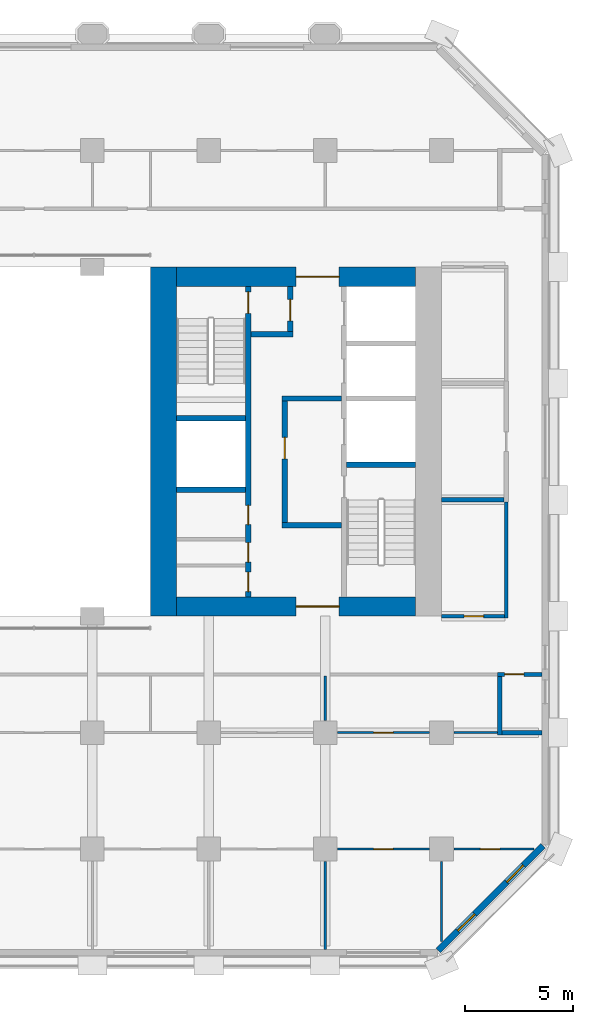
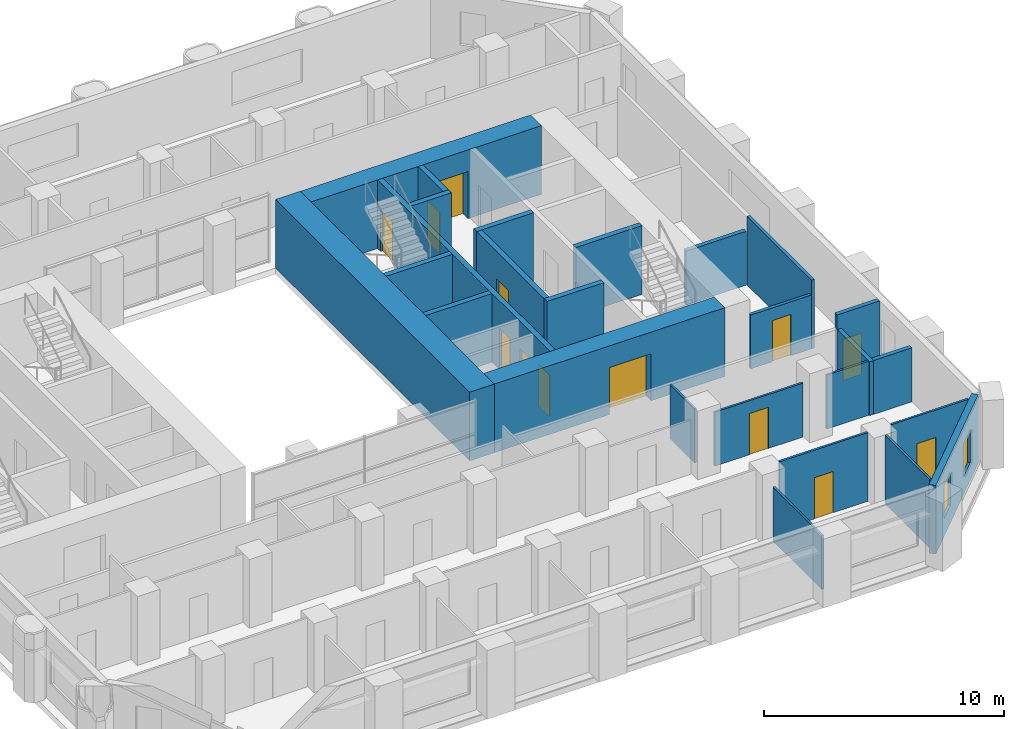
# One storey, part 9 of 14: 26 walls, 13 doors, 2 windows, 15 openings.
"""IFC4 building model written with IfcOpenShell, lengths in metres."""

from ifc_helpers import new_model, si_unit, direction, frame, frame_2d, origin, place, context, subcontext, project, spatial, rectangle, extrude, material, layer, layer_set, type_object, element, fill, save


model = new_model("IFC4")

# Units and contexts
model_context = context("Model", 3, precision=1e-05, world=origin(), true_north=direction((0.0, 1.0)))
body_context = subcontext(model_context, "Body", "Model", "MODEL_VIEW")
ifc_project = project(units=[si_unit("LENGTHUNIT", "METRE"), si_unit("AREAUNIT", "SQUARE_METRE"), si_unit("VOLUMEUNIT", "CUBIC_METRE"), si_unit("PLANEANGLEUNIT", "RADIAN"), si_unit("MASSUNIT", "GRAM", prefix="KILO")], contexts=[model_context])

# Site, building, storey
site_placement = place(None, origin())
site = spatial("IfcSite", under=ifc_project, at=site_placement, CompositionType="ELEMENT")
building_placement = place(site_placement, origin())
building = spatial("IfcBuilding", under=site, at=building_placement, Name="Tabaq Tower and Sports Hall", CompositionType="ELEMENT")
storey_placement = place(building_placement, frame((0.0, 0.0, 52.60009765625)))
storey = spatial("IfcBuildingStorey", under=building, at=storey_placement, Name="L11", CompositionType="ELEMENT", Elevation=52.60009765625)

# Wall
ifc_material_1 = material(Name="Concrete C60/75", Category="concrete")
ifc_layer_1 = layer(ifc_material_1, 1.199951171875)
ifc_layer_set_1 = layer_set([ifc_layer_1], Name="Core wall 1200 Concrete C60/75")
wall_type_1 = type_object("IfcWallType", Name="Core wall 1200 Concrete C60/75", PredefinedType="SOLIDWALL", material=ifc_layer_set_1)
wall_1_placement = place(storey_placement, frame((30.300048828125, 16.199951171875, 0.0), z_axis=(0.0, 0.0, 1.0), x_axis=(0.0, 1.0, 0.0)))
element("IfcWall", 1, at=wall_1_placement, inside=storey, type_object=wall_type_1, Name="Core wall E L11", PredefinedType="SOLIDWALL", context=body_context, shape_type="SweptSolid", body=[
    extrude(rectangle(XDim=16.199951171875, YDim=1.199951171875, at=frame_2d((8.10009765625, 0.0))), origin(), (0.0, 0.0, 1.0), 3.5),
])

# Wall, opening, door
ifc_material_2 = material(Name="Concrete C60/75", Category="concrete")
ifc_layer_2 = layer(ifc_material_2, 0.89990234375)
ifc_layer_set_2 = layer_set([ifc_layer_2], Name="Core wall 900 Concrete C60/75")
wall_type_2 = type_object("IfcWallType", Name="Core wall 900 Concrete C60/75", PredefinedType="SOLIDWALL", material=ifc_layer_set_2)
wall_2_placement = place(storey_placement, frame((42.0, 16.64990234375, 0.0), z_axis=(0.0, 0.0, 1.0), x_axis=(-1.0, 0.0, 0.0)))
wall_2 = element("IfcWall", 2, at=wall_2_placement, inside=storey, type_object=wall_type_2, Name="Core wall E L11", PredefinedType="SOLIDWALL", context=body_context, shape_type="SweptSolid", body=[
    extrude(rectangle(XDim=11.10009765625, YDim=0.89990234375, at=frame_2d((5.550048828125, 0.0))), origin(), (0.0, 0.0, 1.0), 3.5),
])
opening_1_placement = place(wall_2_placement, frame((3.550048828125, 0.0, 0.0)))
opening_1 = element("IfcOpeningElement", 3, at=opening_1_placement, cuts=wall_2, Name="Opening PD-EL11-01", PredefinedType="OPENING", context=body_context, shape_type="SweptSolid", body=[
    extrude(rectangle(XDim=2.0, YDim=2.39990234375, at=frame_2d((1.0, 1.199951171875))), frame((0.0, 0.449951171875, 0.0), z_axis=(0.0, -1.0, 0.0), x_axis=(1.0, 0.0, 0.0)), (0.0, 0.0, 1.0), 0.89990234375),
])
ifc_material_3 = material(Name="Steel fire door", Category="steel")
door_type_1 = type_object("IfcDoorType", Name="Core entrance door 2000", OperationType="DOUBLE_DOOR_SINGLE_SWING", PredefinedType="DOOR", material=ifc_material_3)
door_1_placement = place(opening_1_placement, origin())
door_1 = element("IfcDoor", 4, at=door_1_placement, inside=storey, type_object=door_type_1, Name="Core entrance south E L11", OperationType="DOUBLE_DOOR_SINGLE_SWING", OverallHeight=2.39990234375, OverallWidth=2.0, PredefinedType="DOOR", context=body_context, shape_type="SweptSolid", body=[
    extrude(rectangle(XDim=2.0, YDim=2.39990234375, at=frame_2d((1.0, 1.199951171875))), frame((0.0, 0.02490234375, 0.0), z_axis=(0.0, -1.0, 0.0), x_axis=(1.0, 0.0, 0.0)), (0.0, 0.0, 1.0), 0.050048828125),
])
fill(opening_1, door_1)

wall_3_placement = place(storey_placement, frame((30.89990234375, 31.949951171875, 0.0), z_axis=(0.0, 0.0, 1.0), x_axis=(1.0, 0.0, 0.0)))
wall_3 = element("IfcWall", 5, at=wall_3_placement, inside=storey, type_object=wall_type_2, Name="Core wall E L11", PredefinedType="SOLIDWALL", context=body_context, shape_type="SweptSolid", body=[
    extrude(rectangle(XDim=11.10009765625, YDim=0.89990234375, at=frame_2d((5.550048828125, 0.0))), origin(), (0.0, 0.0, 1.0), 3.5),
])
opening_2_placement = place(wall_3_placement, frame((5.550048828125, 0.0, 0.0)))
opening_2 = element("IfcOpeningElement", 6, at=opening_2_placement, cuts=wall_3, Name="Opening PD-EL11-02", PredefinedType="OPENING", context=body_context, shape_type="SweptSolid", body=[
    extrude(rectangle(XDim=2.0, YDim=2.39990234375, at=frame_2d((1.0, 1.199951171875))), frame((0.0, 0.449951171875, 0.0), z_axis=(0.0, -1.0, 0.0), x_axis=(1.0, 0.0, 0.0)), (0.0, 0.0, 1.0), 0.89990234375),
])
door_2_placement = place(opening_2_placement, origin())
door_2 = element("IfcDoor", 7, at=door_2_placement, inside=storey, type_object=door_type_1, Name="Core entrance north E L11", OperationType="DOUBLE_DOOR_SINGLE_SWING", OverallHeight=2.39990234375, OverallWidth=2.0, PredefinedType="DOOR", context=body_context, shape_type="SweptSolid", body=[
    extrude(rectangle(XDim=2.0, YDim=2.39990234375, at=frame_2d((1.0, 1.199951171875))), frame((0.0, 0.02490234375, 0.0), z_axis=(0.0, -1.0, 0.0), x_axis=(1.0, 0.0, 0.0)), (0.0, 0.0, 1.0), 0.050048828125),
])
fill(opening_2, door_2)

ifc_material_4 = material(Name="Blockwork", Category="masonry")
ifc_layer_3 = layer(ifc_material_4, 0.199951171875)
ifc_layer_set_3 = layer_set([ifc_layer_3], Name="Fire compartment wall 200 Blockwork")
wall_type_3 = type_object("IfcWallType", Name="Fire compartment wall 200 Blockwork", PredefinedType="PARTITIONING", material=ifc_layer_set_3)
wall_4_placement = place(storey_placement, frame((45.800048828125, 13.5, 0.0), z_axis=(0.0, 0.0, 1.0), x_axis=(1.0, 0.0, 0.0)))
wall_4 = element("IfcWall", 8, at=wall_4_placement, inside=storey, type_object=wall_type_3, Name="Compartment wall L11", PredefinedType="PARTITIONING", context=body_context, shape_type="SweptSolid", body=[
    extrude(rectangle(XDim=2.049072265625, YDim=0.199951171875, at=frame_2d((1.0244140625, 0.0))), origin(), (0.0, 0.0, 1.0), 3.5),
])
opening_3_placement = place(wall_4_placement, frame((0.320068359375, 0.0, 0.0)))
opening_3 = element("IfcOpeningElement", 9, at=opening_3_placement, cuts=wall_4, Name="Opening L11-007", PredefinedType="OPENING", context=body_context, shape_type="SweptSolid", body=[
    extrude(rectangle(XDim=0.89990234375, YDim=2.10009765625, at=frame_2d((0.449951171875, 1.050048828125))), frame((0.0, 0.10009765625, 0.0), z_axis=(0.0, -1.0, 0.0), x_axis=(1.0, 0.0, 0.0)), (0.0, 0.0, 1.0), 0.199951171875),
])
ifc_material_5 = material(Name="Steel fire door", Category="steel")
door_type_2 = type_object("IfcDoorType", Name="Plant room door 900 right hand", OperationType="SINGLE_SWING_RIGHT", PredefinedType="DOOR", material=ifc_material_5)
door_3_placement = place(opening_3_placement, origin())
door_3 = element("IfcDoor", 10, at=door_3_placement, inside=storey, type_object=door_type_2, Name="Plant room door L11-007", OperationType="SINGLE_SWING_RIGHT", OverallHeight=2.10009765625, OverallWidth=0.89990234375, PredefinedType="DOOR", context=body_context, shape_type="SweptSolid", body=[
    extrude(rectangle(XDim=0.89990234375, YDim=2.10009765625, at=frame_2d((0.449951171875, 1.050048828125))), frame((0.0, 0.02490234375, 0.0), z_axis=(0.0, -1.0, 0.0), x_axis=(1.0, 0.0, 0.0)), (0.0, 0.0, 1.0), 0.050048828125),
])
fill(opening_3, door_3)

# Walls
wall_5_placement = place(storey_placement, frame((45.89990234375, 10.699951171875, 0.0), z_axis=(0.0, 0.0, 1.0), x_axis=(0.0, 1.0, 0.0)))
element("IfcWall", 11, at=wall_5_placement, inside=storey, type_object=wall_type_3, Name="Compartment wall L11", PredefinedType="PARTITIONING", context=body_context, shape_type="SweptSolid", body=[
    extrude(rectangle(XDim=2.699951171875, YDim=0.199951171875, at=frame_2d((1.35009765625, 0.0))), origin(), (0.0, 0.0, 1.0), 2.75),
])
wall_6_placement = place(storey_placement, frame((46.0, 10.800048828125, 0.0), z_axis=(0.0, 0.0, 1.0), x_axis=(1.0, 0.0, 0.0)))
element("IfcWall", 12, at=wall_6_placement, inside=storey, type_object=wall_type_3, Name="Compartment wall L11", PredefinedType="PARTITIONING", context=body_context, shape_type="SweptSolid", body=[
    extrude(rectangle(XDim=1.84912109375, YDim=0.199951171875, at=frame_2d((0.924560546875, 0.0))), origin(), (0.0, 0.0, 1.0), 2.75),
])
wall_7_placement = place(storey_placement, frame((46.10009765625, 21.60009765625, 0.0), z_axis=(0.0, 0.0, 1.0), x_axis=(-1.0, 0.0, 0.0)))
element("IfcWall", 13, at=wall_7_placement, inside=storey, type_object=wall_type_3, Name="Compartment wall L11", PredefinedType="PARTITIONING", context=body_context, shape_type="SweptSolid", body=[
    extrude(rectangle(XDim=2.900146484375, YDim=0.199951171875, at=frame_2d((1.4501953125, 0.0))), origin(), (0.0, 0.0, 1.0), 2.75),
])
ifc_material_6 = material(Name="Gypsum board on steel studs", Category="steel")
ifc_layer_4 = layer(ifc_material_6, 0.10009765625)
ifc_layer_set_4 = layer_set([ifc_layer_4], Name="Partition 100 Gypsum board")
wall_type_4 = type_object("IfcWallType", Name="Partition 100 Gypsum board", PredefinedType="PARTITIONING", material=ifc_layer_set_4)
wall_8_placement = place(storey_placement, frame((37.800048828125, 11.3701171875, 0.0), z_axis=(0.0, 0.0, 1.0), x_axis=(0.0, 1.0, 0.0)))
element("IfcWall", 14, at=wall_8_placement, inside=storey, type_object=wall_type_4, Name="Partition wall L11", PredefinedType="PARTITIONING", context=body_context, shape_type="SweptSolid", body=[
    extrude(rectangle(XDim=2.054931640625, YDim=0.10009765625, at=frame_2d((1.02734375, 0.0))), origin(), (0.0, 0.0, 1.0), 2.75),
])

# Wall, opening, door
wall_9_placement = place(storey_placement, frame((38.3701171875, 10.800048828125, 0.0), z_axis=(0.0, 0.0, 1.0), x_axis=(1.0, 0.0, 0.0)))
wall_9 = element("IfcWall", 15, at=wall_9_placement, inside=storey, type_object=wall_type_4, Name="Partition wall L11", PredefinedType="PARTITIONING", context=body_context, shape_type="SweptSolid", body=[
    extrude(rectangle(XDim=4.259765625, YDim=0.10009765625, at=frame_2d((2.1298828125, 0.0))), origin(), (0.0, 0.0, 1.0), 2.75),
])
opening_4_placement = place(wall_9_placement, frame((1.679931640625, 0.0, 0.0)))
opening_4 = element("IfcOpeningElement", 16, at=opening_4_placement, cuts=wall_9, Name="Opening L11-018", PredefinedType="OPENING", context=body_context, shape_type="SweptSolid", body=[
    extrude(rectangle(XDim=0.89990234375, YDim=2.10009765625, at=frame_2d((0.449951171875, 1.050048828125))), frame((0.0, 0.050048828125, 0.0), z_axis=(0.0, -1.0, 0.0), x_axis=(1.0, 0.0, 0.0)), (0.0, 0.0, 1.0), 0.10009765625),
])
ifc_material_7 = material(Name="Timber leaf in steel frame", Category="steel")
door_type_3 = type_object("IfcDoorType", Name="Internal door 900 left hand", OperationType="SINGLE_SWING_LEFT", PredefinedType="DOOR", material=ifc_material_7)
door_4_placement = place(opening_4_placement, origin())
door_4 = element("IfcDoor", 17, at=door_4_placement, inside=storey, type_object=door_type_3, Name="Internal door L11-018", OperationType="SINGLE_SWING_LEFT", OverallHeight=2.10009765625, OverallWidth=0.89990234375, PredefinedType="DOOR", context=body_context, shape_type="SweptSolid", body=[
    extrude(rectangle(XDim=0.89990234375, YDim=2.10009765625, at=frame_2d((0.449951171875, 1.050048828125))), frame((0.0, 0.02490234375, 0.0), z_axis=(0.0, -1.0, 0.0), x_axis=(1.0, 0.0, 0.0)), (0.0, 0.0, 1.0), 0.050048828125),
])
fill(opening_4, door_4)

# Wall
wall_10_placement = place(storey_placement, frame((43.77001953125, 10.800048828125, 0.0), z_axis=(0.0, 0.0, 1.0), x_axis=(1.0, 0.0, 0.0)))
element("IfcWall", 18, at=wall_10_placement, inside=storey, type_object=wall_type_4, Name="Partition wall L11", PredefinedType="PARTITIONING", context=body_context, shape_type="SweptSolid", body=[
    extrude(rectangle(XDim=2.030029296875, YDim=0.10009765625, at=frame_2d((1.01513671875, 0.0))), origin(), (0.0, 0.0, 1.0), 2.75),
])

# Wall, opening, door
wall_11_placement = place(storey_placement, frame((38.3701171875, 5.39990234375, 0.0), z_axis=(0.0, 0.0, 1.0), x_axis=(1.0, 0.0, 0.0)))
wall_11 = element("IfcWall", 19, at=wall_11_placement, inside=storey, type_object=wall_type_4, Name="Partition wall L11", PredefinedType="PARTITIONING", context=body_context, shape_type="SweptSolid", body=[
    extrude(rectangle(XDim=4.259765625, YDim=0.10009765625, at=frame_2d((2.1298828125, 0.0))), origin(), (0.0, 0.0, 1.0), 3.5),
])
opening_5_placement = place(wall_11_placement, frame((1.679931640625, 0.0, 0.0)))
opening_5 = element("IfcOpeningElement", 20, at=opening_5_placement, cuts=wall_11, Name="Opening L11-024", PredefinedType="OPENING", context=body_context, shape_type="SweptSolid", body=[
    extrude(rectangle(XDim=0.89990234375, YDim=2.10009765625, at=frame_2d((0.449951171875, 1.050048828125))), frame((0.0, 0.050048828125, 0.0), z_axis=(0.0, -1.0, 0.0), x_axis=(1.0, 0.0, 0.0)), (0.0, 0.0, 1.0), 0.10009765625),
])
door_5_placement = place(opening_5_placement, origin())
door_5 = element("IfcDoor", 21, at=door_5_placement, inside=storey, type_object=door_type_3, Name="Internal door L11-024", OperationType="SINGLE_SWING_LEFT", OverallHeight=2.10009765625, OverallWidth=0.89990234375, PredefinedType="DOOR", context=body_context, shape_type="SweptSolid", body=[
    extrude(rectangle(XDim=0.89990234375, YDim=2.10009765625, at=frame_2d((0.449951171875, 1.050048828125))), frame((0.0, 0.02490234375, 0.0), z_axis=(0.0, -1.0, 0.0), x_axis=(1.0, 0.0, 0.0)), (0.0, 0.0, 1.0), 0.050048828125),
])
fill(opening_5, door_5)

wall_12_placement = place(storey_placement, frame((43.77001953125, 5.39990234375, 0.0), z_axis=(0.0, 0.0, 1.0), x_axis=(1.0, 0.0, 0.0)))
wall_12 = element("IfcWall", 22, at=wall_12_placement, inside=storey, type_object=wall_type_4, Name="Partition wall L11", PredefinedType="PARTITIONING", context=body_context, shape_type="SweptSolid", body=[
    extrude(rectangle(XDim=3.7177734375, YDim=0.10009765625, at=frame_2d((1.85888671875, 0.0))), origin(), (0.0, 0.0, 1.0), 3.5),
])
opening_6_placement = place(wall_12_placement, frame((1.22998046875, 0.0, 0.0)))
opening_6 = element("IfcOpeningElement", 23, at=opening_6_placement, cuts=wall_12, Name="Opening L11-025", PredefinedType="OPENING", context=body_context, shape_type="SweptSolid", body=[
    extrude(rectangle(XDim=0.89990234375, YDim=2.10009765625, at=frame_2d((0.449951171875, 1.050048828125))), frame((0.0, 0.050048828125, 0.0), z_axis=(0.0, -1.0, 0.0), x_axis=(1.0, 0.0, 0.0)), (0.0, 0.0, 1.0), 0.10009765625),
])
door_6_placement = place(opening_6_placement, origin())
door_6 = element("IfcDoor", 24, at=door_6_placement, inside=storey, type_object=door_type_3, Name="Internal door L11-025", OperationType="SINGLE_SWING_LEFT", OverallHeight=2.10009765625, OverallWidth=0.89990234375, PredefinedType="DOOR", context=body_context, shape_type="SweptSolid", body=[
    extrude(rectangle(XDim=0.89990234375, YDim=2.10009765625, at=frame_2d((0.449951171875, 1.050048828125))), frame((0.0, 0.02490234375, 0.0), z_axis=(0.0, -1.0, 0.0), x_axis=(1.0, 0.0, 0.0)), (0.0, 0.0, 1.0), 0.050048828125),
])
fill(opening_6, door_6)

# Walls
wall_13_placement = place(storey_placement, frame((37.800048828125, 0.7509765625, 0.0), z_axis=(0.0, 0.0, 1.0), x_axis=(0.0, 1.0, 0.0)))
element("IfcWall", 25, at=wall_13_placement, inside=storey, type_object=wall_type_4, Name="Partition wall L11", PredefinedType="PARTITIONING", context=body_context, shape_type="SweptSolid", body=[
    extrude(rectangle(XDim=4.0791015625, YDim=0.10009765625, at=frame_2d((2.03955078125, 0.0))), origin(), (0.0, 0.0, 1.0), 2.75),
])
wall_14_placement = place(storey_placement, frame((43.199951171875, 1.112060546875, 0.0), z_axis=(0.0, 0.0, 1.0), x_axis=(0.0, 1.0, 0.0)))
element("IfcWall", 26, at=wall_14_placement, inside=storey, type_object=wall_type_4, Name="Partition wall L11", PredefinedType="PARTITIONING", context=body_context, shape_type="SweptSolid", body=[
    extrude(rectangle(XDim=3.718017578125, YDim=0.10009765625, at=frame_2d((1.85888671875, 0.0))), origin(), (0.0, 0.0, 1.0), 3.5),
])
ifc_material_8 = material(Name="Blockwork", Category="masonry")
ifc_layer_5 = layer(ifc_material_8, 0.14990234375)
ifc_layer_set_5 = layer_set([ifc_layer_5], Name="Separating wall 150 Blockwork")
wall_type_5 = type_object("IfcWallType", Name="Separating wall 150 Blockwork", PredefinedType="PARTITIONING", material=ifc_layer_set_5)
wall_15_placement = place(storey_placement, frame((46.199951171875, 21.5, 0.0), z_axis=(0.0, 0.0, 1.0), x_axis=(0.0, -1.0, 0.0)))
element("IfcWall", 27, at=wall_15_placement, inside=storey, type_object=wall_type_5, Name="Separating wall L11", PredefinedType="PARTITIONING", context=body_context, shape_type="SweptSolid", body=[
    extrude(rectangle(XDim=5.375, YDim=0.14990234375, at=frame_2d((2.6875, 0.0))), origin(), (0.0, 0.0, 1.0), 3.5),
])

# Wall, opening, door
wall_16_placement = place(storey_placement, frame((46.125, 16.199951171875, 0.0), z_axis=(0.0, 0.0, 1.0), x_axis=(-1.0, 0.0, 0.0)))
wall_16 = element("IfcWall", 28, at=wall_16_placement, inside=storey, type_object=wall_type_5, Name="Separating wall L11", PredefinedType="PARTITIONING", context=body_context, shape_type="SweptSolid", body=[
    extrude(rectangle(XDim=2.925048828125, YDim=0.14990234375, at=frame_2d((1.46240234375, 0.0))), origin(), (0.0, 0.0, 1.0), 2.75),
])
opening_7_placement = place(wall_16_placement, frame((0.97509765625, 0.0, 0.0)))
opening_7 = element("IfcOpeningElement", 29, at=opening_7_placement, cuts=wall_16, Name="Opening L11-008", PredefinedType="OPENING", context=body_context, shape_type="SweptSolid", body=[
    extrude(rectangle(XDim=0.89990234375, YDim=2.10009765625, at=frame_2d((0.449951171875, 1.050048828125))), frame((0.0, 0.074951171875, 0.0), z_axis=(0.0, -1.0, 0.0), x_axis=(1.0, 0.0, 0.0)), (0.0, 0.0, 1.0), 0.14990234375),
])
ifc_material_9 = material(Name="Timber leaf in steel frame", Category="steel")
door_type_4 = type_object("IfcDoorType", Name="Internal door 900 right hand", OperationType="SINGLE_SWING_RIGHT", PredefinedType="DOOR", material=ifc_material_9)
door_7_placement = place(opening_7_placement, origin())
door_7 = element("IfcDoor", 30, at=door_7_placement, inside=storey, type_object=door_type_4, Name="Internal door L11-008", OperationType="SINGLE_SWING_RIGHT", OverallHeight=2.10009765625, OverallWidth=0.89990234375, PredefinedType="DOOR", context=body_context, shape_type="SweptSolid", body=[
    extrude(rectangle(XDim=0.89990234375, YDim=2.10009765625, at=frame_2d((0.449951171875, 1.050048828125))), frame((0.0, 0.02490234375, 0.0), z_axis=(0.0, -1.0, 0.0), x_axis=(1.0, 0.0, 0.0)), (0.0, 0.0, 1.0), 0.050048828125),
])
fill(opening_7, door_7)

# Wall, openings, doors
ifc_material_10 = material(Name="Concrete C40/50", Category="concrete")
ifc_layer_6 = layer(ifc_material_10, 0.25)
ifc_layer_set_6 = layer_set([ifc_layer_6], Name="Shaft and stair wall 250 Concrete C40/50")
wall_type_6 = type_object("IfcWallType", Name="Shaft and stair wall 250 Concrete C40/50", PredefinedType="SOLIDWALL", material=ifc_layer_set_6)
wall_17_placement = place(storey_placement, frame((34.22509765625, 17.10009765625, 0.0), z_axis=(0.0, 0.0, 1.0), x_axis=(0.0, 1.0, 0.0)))
wall_17 = element("IfcWall", 31, at=wall_17_placement, inside=storey, type_object=wall_type_6, Name="Shaft wall E L11", PredefinedType="SOLIDWALL", context=body_context, shape_type="SweptSolid", body=[
    extrude(rectangle(XDim=14.39990234375, YDim=0.25, at=frame_2d((7.199951171875, 0.0))), origin(), (0.0, 0.0, 1.0), 3.5),
])
opening_8_placement = place(wall_17_placement, frame((13.14990234375, 0.0, 0.0)))
opening_8 = element("IfcOpeningElement", 32, at=opening_8_placement, cuts=wall_17, Name="Opening SD-EL11-05", PredefinedType="OPENING", context=body_context, shape_type="SweptSolid", body=[
    extrude(rectangle(XDim=1.0, YDim=2.10009765625, at=frame_2d((0.5, 1.050048828125))), frame((0.0, 0.125, 0.0), z_axis=(0.0, -1.0, 0.0), x_axis=(1.0, 0.0, 0.0)), (0.0, 0.0, 1.0), 0.25),
])
opening_9_placement = place(wall_17_placement, frame((0.239990234375, 0.0, 0.0)))
opening_9 = element("IfcOpeningElement", 33, at=opening_9_placement, cuts=wall_17, Name="Opening RD-EL11-10", PredefinedType="OPENING", context=body_context, shape_type="SweptSolid", body=[
    extrude(rectangle(XDim=0.89990234375, YDim=2.10009765625, at=frame_2d((0.449951171875, 1.050048828125))), frame((0.0, 0.125, 0.0), z_axis=(0.0, -1.0, 0.0), x_axis=(1.0, 0.0, 0.0)), (0.0, 0.0, 1.0), 0.25),
])
opening_10_placement = place(wall_17_placement, frame((1.611083984375, 0.0, 0.0)))
opening_10 = element("IfcOpeningElement", 34, at=opening_10_placement, cuts=wall_17, Name="Opening RD-EL11-11", PredefinedType="OPENING", context=body_context, shape_type="SweptSolid", body=[
    extrude(rectangle(XDim=0.89990234375, YDim=2.10009765625, at=frame_2d((0.449951171875, 1.050048828125))), frame((0.0, 0.125, 0.0), z_axis=(0.0, -1.0, 0.0), x_axis=(1.0, 0.0, 0.0)), (0.0, 0.0, 1.0), 0.25),
])
opening_11_placement = place(wall_17_placement, frame((3.345947265625, 0.0, 0.0)))
opening_11 = element("IfcOpeningElement", 35, at=opening_11_placement, cuts=wall_17, Name="Opening RD-EL11-12", PredefinedType="OPENING", context=body_context, shape_type="SweptSolid", body=[
    extrude(rectangle(XDim=0.89990234375, YDim=2.10009765625, at=frame_2d((0.449951171875, 1.050048828125))), frame((0.0, 0.125, 0.0), z_axis=(0.0, -1.0, 0.0), x_axis=(1.0, 0.0, 0.0)), (0.0, 0.0, 1.0), 0.25),
])
ifc_material_11 = material(Name="Steel fire door", Category="steel")
door_type_5 = type_object("IfcDoorType", Name="Core room door 900", OperationType="SINGLE_SWING_LEFT", PredefinedType="DOOR", material=ifc_material_11)
door_8_placement = place(opening_9_placement, origin())
door_8 = element("IfcDoor", 36, at=door_8_placement, inside=storey, type_object=door_type_5, Name="Door Accessible WC E L11", OperationType="SINGLE_SWING_LEFT", OverallHeight=2.10009765625, OverallWidth=0.89990234375, PredefinedType="DOOR", context=body_context, shape_type="SweptSolid", body=[
    extrude(rectangle(XDim=0.89990234375, YDim=2.10009765625, at=frame_2d((0.449951171875, 1.050048828125))), frame((0.0, 0.02490234375, 0.0), z_axis=(0.0, -1.0, 0.0), x_axis=(1.0, 0.0, 0.0)), (0.0, 0.0, 1.0), 0.050048828125),
])
fill(opening_9, door_8)
door_9_placement = place(opening_10_placement, origin())
door_9 = element("IfcDoor", 37, at=door_9_placement, inside=storey, type_object=door_type_5, Name="Door Electrical Riser Room E L11", OperationType="SINGLE_SWING_LEFT", OverallHeight=2.10009765625, OverallWidth=0.89990234375, PredefinedType="DOOR", context=body_context, shape_type="SweptSolid", body=[
    extrude(rectangle(XDim=0.89990234375, YDim=2.10009765625, at=frame_2d((0.449951171875, 1.050048828125))), frame((0.0, 0.02490234375, 0.0), z_axis=(0.0, -1.0, 0.0), x_axis=(1.0, 0.0, 0.0)), (0.0, 0.0, 1.0), 0.050048828125),
])
fill(opening_10, door_9)
door_10_placement = place(opening_11_placement, origin())
door_10 = element("IfcDoor", 38, at=door_10_placement, inside=storey, type_object=door_type_5, Name="Door Unisex WC E L11", OperationType="SINGLE_SWING_LEFT", OverallHeight=2.10009765625, OverallWidth=0.89990234375, PredefinedType="DOOR", context=body_context, shape_type="SweptSolid", body=[
    extrude(rectangle(XDim=0.89990234375, YDim=2.10009765625, at=frame_2d((0.449951171875, 1.050048828125))), frame((0.0, 0.02490234375, 0.0), z_axis=(0.0, -1.0, 0.0), x_axis=(1.0, 0.0, 0.0)), (0.0, 0.0, 1.0), 0.050048828125),
])
fill(opening_11, door_10)
ifc_material_12 = material(Name="Steel fire door", Category="steel")
door_type_6 = type_object("IfcDoorType", Name="Stair door 1000", OperationType="SINGLE_SWING_LEFT", PredefinedType="DOOR", material=ifc_material_12)
door_11_placement = place(opening_8_placement, origin())
door_11 = element("IfcDoor", 39, at=door_11_placement, inside=storey, type_object=door_type_6, Name="Stair door ST4 E L11", OperationType="SINGLE_SWING_LEFT", OverallHeight=2.10009765625, OverallWidth=1.0, PredefinedType="DOOR", context=body_context, shape_type="SweptSolid", body=[
    extrude(rectangle(XDim=1.0, YDim=2.10009765625, at=frame_2d((0.5, 1.050048828125))), frame((0.0, 0.02490234375, 0.0), z_axis=(0.0, -1.0, 0.0), x_axis=(1.0, 0.0, 0.0)), (0.0, 0.0, 1.0), 0.050048828125),
])
fill(opening_8, door_11)

# Walls
wall_18_placement = place(storey_placement, frame((38.800048828125, 23.22509765625, 0.0), z_axis=(0.0, 0.0, 1.0), x_axis=(1.0, 0.0, 0.0)))
element("IfcWall", 40, at=wall_18_placement, inside=storey, type_object=wall_type_6, Name="Stair enclosure wall E L11", PredefinedType="SOLIDWALL", context=body_context, shape_type="SweptSolid", body=[
    extrude(rectangle(XDim=3.199951171875, YDim=0.25, at=frame_2d((1.60009765625, 0.0))), origin(), (0.0, 0.0, 1.0), 3.5),
])
for number, where, z_axis, x_axis, name in (
    (41, (30.89990234375, 25.375, 0.0), (0.0, 0.0, 1.0), (1.0, 0.0, 0.0), "Stair enclosure wall E L11"),
    (42, (30.89990234375, 22.074951171875, 0.0), (0.0, 0.0, 1.0), (1.0, 0.0, 0.0), "Shaft wall E L11"),
):
    element("IfcWall", number, at=place(storey_placement, frame(where, z_axis=z_axis, x_axis=x_axis)), inside=storey, type_object=wall_type_6, Name=name, PredefinedType="SOLIDWALL", context=body_context, shape_type="SweptSolid", body=[
        extrude(rectangle(XDim=3.2001953125, YDim=0.25, at=frame_2d((1.60009765625, 0.0))), origin(), (0.0, 0.0, 1.0), 3.5),
    ])
for number, where, z_axis, x_axis, name in (
    (43, (35.800048828125, 26.300048828125, 0.0), (0.0, 0.0, 1.0), (1.0, 0.0, 0.0), "Fire-fighting lobby wall E L11"),
    (44, (35.800048828125, 20.425048828125, 0.0), (0.0, 0.0, 1.0), (1.0, 0.0, 0.0), "Fire-fighting lobby wall E L11"),
):
    element("IfcWall", number, at=place(storey_placement, frame(where, z_axis=z_axis, x_axis=x_axis)), inside=storey, type_object=wall_type_6, Name=name, PredefinedType="SOLIDWALL", context=body_context, shape_type="SweptSolid", body=[
        extrude(rectangle(XDim=2.75, YDim=0.25, at=frame_2d((1.375, 0.0))), origin(), (0.0, 0.0, 1.0), 3.5),
    ])

# Wall, opening, door
wall_19_placement = place(storey_placement, frame((36.175048828125, 29.39990234375, 0.0), z_axis=(0.0, 0.0, 1.0), x_axis=(0.0, 1.0, 0.0)))
wall_19 = element("IfcWall", 45, at=wall_19_placement, inside=storey, type_object=wall_type_6, Name="Fire-fighting lobby wall E L11", PredefinedType="SOLIDWALL", context=body_context, shape_type="SweptSolid", body=[
    extrude(rectangle(XDim=2.10009765625, YDim=0.25, at=frame_2d((1.050048828125, 0.0))), origin(), (0.0, 0.0, 1.0), 3.5),
])
opening_12_placement = place(wall_19_placement, frame((0.5, 0.0, 0.0)))
opening_12 = element("IfcOpeningElement", 46, at=opening_12_placement, cuts=wall_19, Name="Opening FD-EL11-06", PredefinedType="OPENING", context=body_context, shape_type="SweptSolid", body=[
    extrude(rectangle(XDim=1.0, YDim=2.10009765625, at=frame_2d((0.5, 1.050048828125))), frame((0.0, 0.125, 0.0), z_axis=(0.0, -1.0, 0.0), x_axis=(1.0, 0.0, 0.0)), (0.0, 0.0, 1.0), 0.25),
])
ifc_material_13 = material(Name="Steel fire door", Category="steel")
door_type_7 = type_object("IfcDoorType", Name="Fire-fighting lobby door 1000", OperationType="SINGLE_SWING_LEFT", PredefinedType="DOOR", material=ifc_material_13)
door_12_placement = place(opening_12_placement, origin())
door_12 = element("IfcDoor", 47, at=door_12_placement, inside=storey, type_object=door_type_7, Name="Stair lobby door E L11", OperationType="SINGLE_SWING_LEFT", OverallHeight=2.10009765625, OverallWidth=1.0, PredefinedType="DOOR", context=body_context, shape_type="SweptSolid", body=[
    extrude(rectangle(XDim=1.0, YDim=2.10009765625, at=frame_2d((0.5, 1.050048828125))), frame((0.0, 0.02490234375, 0.0), z_axis=(0.0, -1.0, 0.0), x_axis=(1.0, 0.0, 0.0)), (0.0, 0.0, 1.0), 0.050048828125),
])
fill(opening_12, door_12)

# Wall
wall_20_placement = place(storey_placement, frame((34.35009765625, 29.27490234375, 0.0), z_axis=(0.0, 0.0, 1.0), x_axis=(1.0, 0.0, 0.0)))
element("IfcWall", 48, at=wall_20_placement, inside=storey, type_object=wall_type_6, Name="Fire-fighting lobby wall E L11", PredefinedType="SOLIDWALL", context=body_context, shape_type="SweptSolid", body=[
    extrude(rectangle(XDim=1.949951171875, YDim=0.25, at=frame_2d((0.97509765625, 0.0))), origin(), (0.0, 0.0, 1.0), 3.5),
])

# Wall, opening, door
wall_21_placement = place(storey_placement, frame((35.925048828125, 20.550048828125, 0.0), z_axis=(0.0, 0.0, 1.0), x_axis=(0.0, 1.0, 0.0)))
wall_21 = element("IfcWall", 49, at=wall_21_placement, inside=storey, type_object=wall_type_6, Name="Fire-fighting lobby wall E L11", PredefinedType="SOLIDWALL", context=body_context, shape_type="SweptSolid", body=[
    extrude(rectangle(XDim=5.625, YDim=0.25, at=frame_2d((2.8125, 0.0))), origin(), (0.0, 0.0, 1.0), 3.5),
])
opening_13_placement = place(wall_21_placement, frame((2.949951171875, 0.0, 0.0)))
opening_13 = element("IfcOpeningElement", 50, at=opening_13_placement, cuts=wall_21, Name="Opening FD-EL11-04", PredefinedType="OPENING", context=body_context, shape_type="SweptSolid", body=[
    extrude(rectangle(XDim=1.0, YDim=2.10009765625, at=frame_2d((0.5, 1.050048828125))), frame((0.0, 0.125, 0.0), z_axis=(0.0, -1.0, 0.0), x_axis=(1.0, 0.0, 0.0)), (0.0, 0.0, 1.0), 0.25),
])
door_13_placement = place(opening_13_placement, origin())
door_13 = element("IfcDoor", 51, at=door_13_placement, inside=storey, type_object=door_type_7, Name="Fire-fighting lobby door E L11", OperationType="SINGLE_SWING_LEFT", OverallHeight=2.10009765625, OverallWidth=1.0, PredefinedType="DOOR", context=body_context, shape_type="SweptSolid", body=[
    extrude(rectangle(XDim=1.0, YDim=2.10009765625, at=frame_2d((0.5, 1.050048828125))), frame((0.0, 0.02490234375, 0.0), z_axis=(0.0, -1.0, 0.0), x_axis=(1.0, 0.0, 0.0)), (0.0, 0.0, 1.0), 0.050048828125),
])
fill(opening_13, door_13)

# Wall, openings, windows
ifc_material_14 = material(Name="White precast concrete C60/75", Category="concrete")
ifc_layer_7 = layer(ifc_material_14, 0.300048828125)
ifc_layer_set_7 = layer_set([ifc_layer_7], Name="White precast concrete C60/75 external wall 300")
wall_type_7 = type_object("IfcWallType", Name="White precast concrete C60/75 external wall 300", PredefinedType="SOLIDWALL", material=ifc_layer_set_7)
wall_22_placement = place(storey_placement, frame((43.050537109375, 0.698974609375, 0.0), z_axis=(0.0, 0.0, 1.0), x_axis=(0.707106781187, 0.707106781187, 0.0)))
wall_22 = element("IfcWall", 52, at=wall_22_placement, inside=storey, type_object=wall_type_7, Name="External Wall L11 SE", PredefinedType="SOLIDWALL", context=body_context, shape_type="SweptSolid", body=[
    extrude(rectangle(XDim=6.85986328125, YDim=0.300048828125, at=frame_2d((3.429931640625, 0.0))), origin(), (0.0, 0.0, 1.0), 3.5),
])
opening_14_placement = place(wall_22_placement, frame((1.27978515625, 0.0, 0.89990234375)))
opening_14 = element("IfcOpeningElement", 53, at=opening_14_placement, cuts=wall_22, Name="Opening W1B", PredefinedType="OPENING", context=body_context, shape_type="SweptSolid", body=[
    extrude(rectangle(XDim=1.10009765625, YDim=1.699951171875, at=frame_2d((0.550048828125, 0.85009765625))), frame((0.0, 0.16015625, 0.0), z_axis=(0.0, -1.0, 0.0), x_axis=(1.0, 0.0, 0.0)), (0.0, 0.0, 1.0), 0.320068359375),
])
opening_15_placement = place(wall_22_placement, frame((4.479736328125, 0.0, 0.89990234375)))
opening_15 = element("IfcOpeningElement", 54, at=opening_15_placement, cuts=wall_22, Name="Opening W1B", PredefinedType="OPENING", context=body_context, shape_type="SweptSolid", body=[
    extrude(rectangle(XDim=1.10009765625, YDim=1.699951171875, at=frame_2d((0.550048828125, 0.85009765625))), frame((0.0, 0.16015625, 0.0), z_axis=(0.0, -1.0, 0.0), x_axis=(1.0, 0.0, 0.0)), (0.0, 0.0, 1.0), 0.320068359375),
])
ifc_material_15 = material(Name="Aluminium framed clear glazing", Category="aluminium")
window_type = type_object("IfcWindowType", Name="Window W1B", PartitioningType="SINGLE_PANEL", PredefinedType="WINDOW", material=ifc_material_15)
window_1_placement = place(opening_14_placement, origin())
window_1 = element("IfcWindow", 55, at=window_1_placement, inside=storey, type_object=window_type, Name="Window W1B L11", OverallHeight=1.699951171875, OverallWidth=1.10009765625, PartitioningType="SINGLE_PANEL", PredefinedType="WINDOW", context=body_context, shape_type="SweptSolid", body=[
    extrude(rectangle(XDim=1.10009765625, YDim=1.699951171875, at=frame_2d((0.550048828125, 0.85009765625))), frame((0.0, 0.030029296875, 0.0), z_axis=(0.0, -1.0, 0.0), x_axis=(1.0, 0.0, 0.0)), (0.0, 0.0, 1.0), 0.06005859375),
])
fill(opening_14, window_1)
window_2_placement = place(opening_15_placement, origin())
window_2 = element("IfcWindow", 56, at=window_2_placement, inside=storey, type_object=window_type, Name="Window W1B L11", OverallHeight=1.699951171875, OverallWidth=1.10009765625, PartitioningType="SINGLE_PANEL", PredefinedType="WINDOW", context=body_context, shape_type="SweptSolid", body=[
    extrude(rectangle(XDim=1.10009765625, YDim=1.699951171875, at=frame_2d((0.550048828125, 0.85009765625))), frame((0.0, 0.030029296875, 0.0), z_axis=(0.0, -1.0, 0.0), x_axis=(1.0, 0.0, 0.0)), (0.0, 0.0, 1.0), 0.06005859375),
])
fill(opening_15, window_2)

save(model, "model.ifc")
